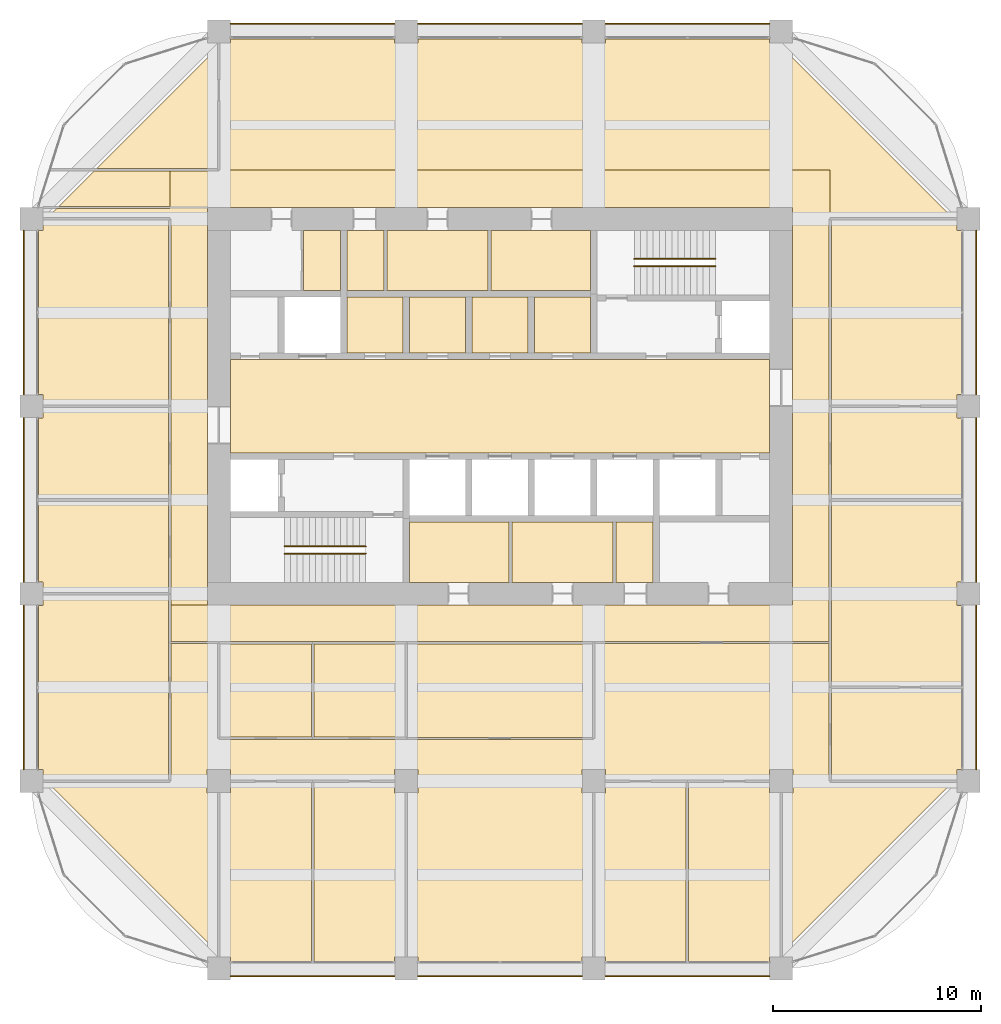
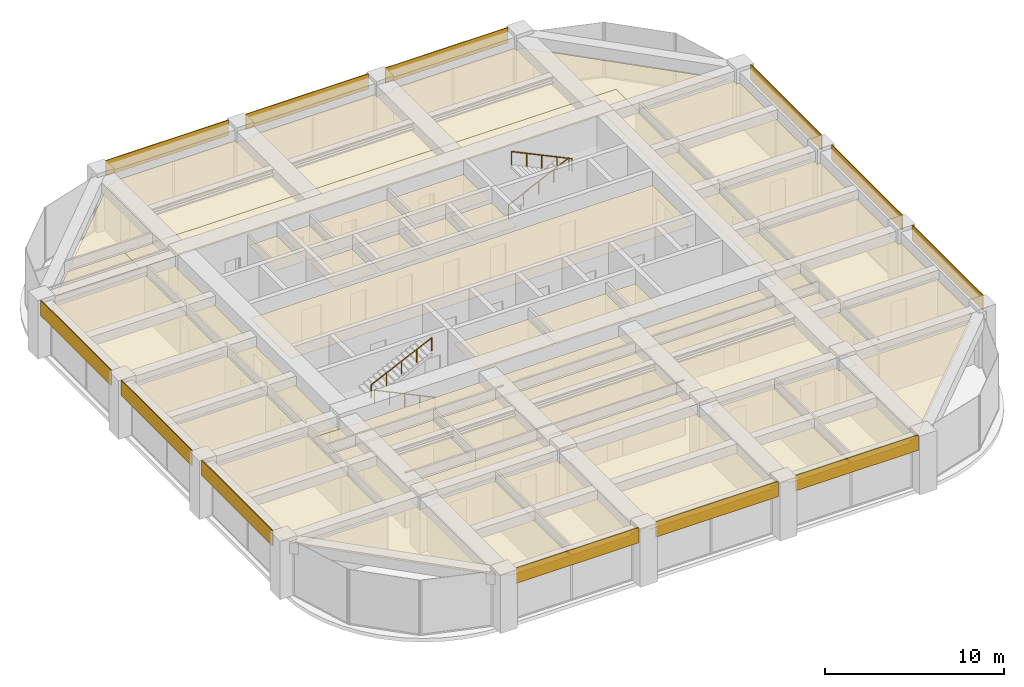
# One storey, part 45 of 45: 45 coverings, 4 railings.
"""IFC4 building model written with IfcOpenShell, lengths in metres."""

from ifc_helpers import new_model, si_unit, direction, frame, frame_2d, origin, origin_2d, place, context, subcontext, project, spatial, polyline, rectangle, circle, outline, extrude, material, layer, layer_set, type_object, element, save


model = new_model("IFC4")

# Units and contexts
model_context = context("Model", 3, precision=1e-05, world=origin(), true_north=direction((0.0, 1.0)))
body_context = subcontext(model_context, "Body", "Model", "MODEL_VIEW")
ifc_project = project(units=[si_unit("LENGTHUNIT", "METRE"), si_unit("AREAUNIT", "SQUARE_METRE"), si_unit("VOLUMEUNIT", "CUBIC_METRE"), si_unit("PLANEANGLEUNIT", "RADIAN"), si_unit("MASSUNIT", "GRAM", prefix="KILO")], contexts=[model_context])

# Site, building, storey
site_placement = place(None, origin())
site = spatial("IfcSite", under=ifc_project, at=site_placement, CompositionType="ELEMENT")
building_placement = place(site_placement, origin())
building = spatial("IfcBuilding", under=site, at=building_placement, Name="Zorevar Civic Tower", CompositionType="ELEMENT")
storey_placement = place(building_placement, frame((0.0, 0.0, 303.39990234375)))
storey = spatial("IfcBuildingStorey", under=building, at=storey_placement, Name="L74", CompositionType="ELEMENT", Elevation=303.39990234375)

# Railings
ifc_material_1 = material(Name="Black steel handrail", Category="steel")
railing_type = type_object("IfcRailingType", Name="Handrail HR1 900", PredefinedType="HANDRAIL", material=ifc_material_1)
railing_1_placement = place(storey_placement, frame((25.050048828125, 19.925048828125, 0.14306640625)))
element("IfcRailing", 1, at=railing_1_placement, inside=storey, type_object=railing_type, Name="Handrail HR1 ST1 L74", PredefinedType="HANDRAIL", context=body_context, shape_type="SweptSolid", body=[
    extrude(circle(Radius=0.02392578125, at=origin_2d()), frame((0.0, 0.0, 0.8759765625), z_axis=(-0.902885590262, 0.0, 0.429880926418), x_axis=(0.0, -1.0, 0.0)), (0.0, 0.0, 1.0), 4.319580078125),
    extrude(circle(Radius=0.02099609375, at=origin_2d()), origin(), (0.0, 0.0, 1.0), 0.851806640625),
    extrude(circle(Radius=0.02099609375, at=origin_2d()), frame((-0.97509765625, 0.0, 0.46435546875)), (0.0, 0.0, 1.0), 0.851806640625),
    extrude(circle(Radius=0.02099609375, at=origin_2d()), frame((-1.9501953125, 0.0, 0.928466796875)), (0.0, 0.0, 1.0), 0.851806640625),
    extrude(circle(Radius=0.02099609375, at=origin_2d()), frame((-2.925048828125, 0.0, 1.392578125)), (0.0, 0.0, 1.0), 0.851806640625),
    extrude(circle(Radius=0.02099609375, at=origin_2d()), frame((-3.900146484375, 0.0, 1.85693359375)), (0.0, 0.0, 1.0), 0.851806640625),
])
for number, where, name in (
    (2, (21.14990234375, 20.27490234375, 2.14306640625), "Handrail HR1 ST1 L74"),
    (3, (37.949951171875, 34.074951171875, 0.14306640625), "Handrail HR1 ST2 L74"),
):
    element("IfcRailing", number, at=place(storey_placement, frame(where)), inside=storey, type_object=railing_type, Name=name, PredefinedType="HANDRAIL", context=body_context, shape_type="SweptSolid", body=[
        extrude(circle(Radius=0.02392578125, at=origin_2d()), frame((0.0, 0.0, 0.8759765625), z_axis=(0.902885590262, 0.0, 0.429880926418), x_axis=(0.0, 1.0, 0.0)), (0.0, 0.0, 1.0), 4.319580078125),
        extrude(circle(Radius=0.02099609375, at=origin_2d()), origin(), (0.0, 0.0, 1.0), 0.851806640625),
        extrude(circle(Radius=0.02099609375, at=origin_2d()), frame((0.97509765625, 0.0, 0.46435546875)), (0.0, 0.0, 1.0), 0.851806640625),
        extrude(circle(Radius=0.02099609375, at=origin_2d()), frame((1.9501953125, 0.0, 0.928466796875)), (0.0, 0.0, 1.0), 0.851806640625),
        extrude(circle(Radius=0.02099609375, at=origin_2d()), frame((2.925048828125, 0.0, 1.392578125)), (0.0, 0.0, 1.0), 0.851806640625),
        extrude(circle(Radius=0.02099609375, at=origin_2d()), frame((3.900146484375, 0.0, 1.85693359375)), (0.0, 0.0, 1.0), 0.851806640625),
    ])
railing_2_placement = place(storey_placement, frame((41.85009765625, 33.72509765625, 2.14306640625)))
element("IfcRailing", 4, at=railing_2_placement, inside=storey, type_object=railing_type, Name="Handrail HR1 ST2 L74", PredefinedType="HANDRAIL", context=body_context, shape_type="SweptSolid", body=[
    extrude(circle(Radius=0.02392578125, at=origin_2d()), frame((0.0, 0.0, 0.8759765625), z_axis=(-0.902885590262, 0.0, 0.429880926418), x_axis=(0.0, -1.0, 0.0)), (0.0, 0.0, 1.0), 4.319580078125),
    extrude(circle(Radius=0.02099609375, at=origin_2d()), origin(), (0.0, 0.0, 1.0), 0.851806640625),
    extrude(circle(Radius=0.02099609375, at=origin_2d()), frame((-0.97509765625, 0.0, 0.46435546875)), (0.0, 0.0, 1.0), 0.851806640625),
    extrude(circle(Radius=0.02099609375, at=origin_2d()), frame((-1.9501953125, 0.0, 0.928466796875)), (0.0, 0.0, 1.0), 0.851806640625),
    extrude(circle(Radius=0.02099609375, at=origin_2d()), frame((-2.925048828125, 0.0, 1.392578125)), (0.0, 0.0, 1.0), 0.851806640625),
    extrude(circle(Radius=0.02099609375, at=origin_2d()), frame((-3.900146484375, 0.0, 1.85693359375)), (0.0, 0.0, 1.0), 0.851806640625),
])

# Coverings
ifc_material_2 = material(Name="Moisture-resistant gypsum board")
ifc_layer_1 = layer(ifc_material_2, 0.012451171875)
ifc_layer_set_1 = layer_set([ifc_layer_1], Name="Moisture-resistant ceiling SC3")
covering_type_1 = type_object("IfcCoveringType", Name="Moisture-resistant ceiling SC3", PredefinedType="CEILING", material=ifc_layer_set_1)
covering_1_placement = place(storey_placement, frame((0.0, 0.0, 3.0)))
element("IfcCovering", 5, at=covering_1_placement, inside=storey, type_object=covering_type_1, Name="Ceiling L74-05", PredefinedType="CEILING", context=body_context, shape_type="SweptSolid", body=[
    extrude(outline(polyline([(31.925048828125, 18.550048828125), (31.925048828125, 21.449951171875), (27.14990234375, 21.449951171875), (27.14990234375, 18.550048828125), (31.925048828125, 18.550048828125)])), origin(), (0.0, 0.0, 1.0), 0.0126953125),
])
covering_2_placement = place(storey_placement, frame((0.0, 0.0, 3.0)))
element("IfcCovering", 6, at=covering_2_placement, inside=storey, type_object=covering_type_1, Name="Ceiling L74-06", PredefinedType="CEILING", context=body_context, shape_type="SweptSolid", body=[
    extrude(outline(polyline([(36.925048828125, 18.550048828125), (36.925048828125, 21.449951171875), (32.074951171875, 21.449951171875), (32.074951171875, 18.550048828125), (36.925048828125, 18.550048828125)])), origin(), (0.0, 0.0, 1.0), 0.0126953125),
])
covering_3_placement = place(storey_placement, frame((0.0, 0.0, 3.0)))
element("IfcCovering", 7, at=covering_3_placement, inside=storey, type_object=covering_type_1, Name="Ceiling L74-07", PredefinedType="CEILING", context=body_context, shape_type="SweptSolid", body=[
    extrude(outline(polyline([(38.85009765625, 18.550048828125), (38.85009765625, 21.449951171875), (37.074951171875, 21.449951171875), (37.074951171875, 18.550048828125), (38.85009765625, 18.550048828125)])), origin(), (0.0, 0.0, 1.0), 0.0126953125),
])
covering_4_placement = place(storey_placement, frame((0.0, 0.0, 3.0)))
element("IfcCovering", 8, at=covering_4_placement, inside=storey, type_object=covering_type_1, Name="Ceiling L74-08", PredefinedType="CEILING", context=body_context, shape_type="SweptSolid", body=[
    extrude(outline(polyline([(35.85009765625, 32.550048828125), (35.85009765625, 35.449951171875), (31.074951171875, 35.449951171875), (31.074951171875, 32.550048828125), (35.85009765625, 32.550048828125)])), origin(), (0.0, 0.0, 1.0), 0.0126953125),
])
covering_5_placement = place(storey_placement, frame((0.0, 0.0, 3.0)))
element("IfcCovering", 9, at=covering_5_placement, inside=storey, type_object=covering_type_1, Name="Ceiling L74-09", PredefinedType="CEILING", context=body_context, shape_type="SweptSolid", body=[
    extrude(outline(polyline([(30.925048828125, 32.550048828125), (30.925048828125, 35.449951171875), (26.074951171875, 35.449951171875), (26.074951171875, 32.550048828125), (30.925048828125, 32.550048828125)])), origin(), (0.0, 0.0, 1.0), 0.0126953125),
])
covering_6_placement = place(storey_placement, frame((0.0, 0.0, 3.0)))
element("IfcCovering", 10, at=covering_6_placement, inside=storey, type_object=covering_type_1, Name="Ceiling L74-10", PredefinedType="CEILING", context=body_context, shape_type="SweptSolid", body=[
    extrude(outline(polyline([(25.925048828125, 32.550048828125), (25.925048828125, 35.449951171875), (24.14990234375, 35.449951171875), (24.14990234375, 32.550048828125), (25.925048828125, 32.550048828125)])), origin(), (0.0, 0.0, 1.0), 0.0126953125),
])
ifc_material_3 = material(Name="Black anodised aluminium spandrel panel", Category="aluminium")
ifc_layer_2 = layer(ifc_material_3, 0.050048828125)
ifc_layer_set_2 = layer_set([ifc_layer_2], Name="Spandrel cladding SP1")
covering_type_2 = type_object("IfcCoveringType", Name="Spandrel cladding SP1", PredefinedType="CLADDING", material=ifc_layer_set_2)
for number, where, z_axis, x_axis, name in (
    (11, (18.550048828125, -0.375, 2.9501953125), (0.0, 0.0, 1.0), (1.0, 0.0, 0.0), "Spandrel cladding L75"),
    (12, (27.550048828125, -0.375, 2.9501953125), (0.0, 0.0, 1.0), (1.0, 0.0, 0.0), "Spandrel cladding L75"),
    (13, (36.550048828125, -0.375, 2.9501953125), (0.0, 0.0, 1.0), (1.0, 0.0, 0.0), "Spandrel cladding L75"),
    (14, (18.550048828125, 45.375, 2.9501953125), (0.0, 0.0, 1.0), (1.0, 0.0, 0.0), "Spandrel cladding L75"),
    (15, (27.550048828125, 45.375, 2.9501953125), (0.0, 0.0, 1.0), (1.0, 0.0, 0.0), "Spandrel cladding L75"),
    (16, (36.550048828125, 45.375, 2.9501953125), (0.0, 0.0, 1.0), (1.0, 0.0, 0.0), "Spandrel cladding L75"),
    (17, (8.625, 9.550048828125, 2.9501953125), (0.0, 0.0, 1.0), (0.0, 1.0, 0.0), "Spandrel cladding L75"),
    (18, (8.625, 18.550048828125, 2.9501953125), (0.0, 0.0, 1.0), (0.0, 1.0, 0.0), "Spandrel cladding L75"),
    (19, (8.625, 27.550048828125, 2.9501953125), (0.0, 0.0, 1.0), (0.0, 1.0, 0.0), "Spandrel cladding L75"),
    (20, (54.375, 9.550048828125, 2.9501953125), (0.0, 0.0, 1.0), (0.0, 1.0, 0.0), "Spandrel cladding L75"),
    (21, (54.375, 18.550048828125, 2.9501953125), (0.0, 0.0, 1.0), (0.0, 1.0, 0.0), "Spandrel cladding L75"),
    (22, (54.375, 27.550048828125, 2.9501953125), (0.0, 0.0, 1.0), (0.0, 1.0, 0.0), "Spandrel cladding L75"),
):
    element("IfcCovering", number, at=place(storey_placement, frame(where, z_axis=z_axis, x_axis=x_axis)), inside=storey, type_object=covering_type_2, Name=name, PredefinedType="CLADDING", context=body_context, shape_type="SweptSolid", body=[
        extrude(rectangle(XDim=7.89990234375, YDim=0.050048828125, at=frame_2d((3.949951171875, 0.0))), origin(), (0.0, 0.0, 1.0), 1.0498046875),
    ])
ifc_material_4 = material(Name="Mineral fibre tiles on a concealed grid")
ifc_layer_3 = layer(ifc_material_4, 0.02001953125)
ifc_layer_set_3 = layer_set([ifc_layer_3], Name="Suspended ceiling SC1")
covering_type_3 = type_object("IfcCoveringType", Name="Suspended ceiling SC1", PredefinedType="CEILING", material=ifc_layer_set_3)
covering_7_placement = place(storey_placement, frame((0.0, 0.0, 3.0)))
element("IfcCovering", 23, at=covering_7_placement, inside=storey, type_object=covering_type_3, Name="Ceiling L74-12", PredefinedType="CEILING", context=body_context, shape_type="SweptSolid", body=[
    extrude(outline(polyline([(23.85009765625, 32.550048828125), (23.85009765625, 35.449951171875), (22.06005859375, 35.449951171875), (22.06005859375, 32.550048828125), (23.85009765625, 32.550048828125)])), origin(), (0.0, 0.0, 1.0), 0.02001953125),
])
covering_8_placement = place(storey_placement, frame((0.0, 0.0, 3.0)))
element("IfcCovering", 24, at=covering_8_placement, inside=storey, type_object=covering_type_3, Name="Ceiling L74-16", PredefinedType="CEILING", context=body_context, shape_type="SweptSolid", body=[
    extrude(outline(polyline([(44.449951171875, 24.75), (44.449951171875, 29.25), (18.550048828125, 29.25), (18.550048828125, 24.75), (44.449951171875, 24.75)])), origin(), (0.0, 0.0, 1.0), 0.02001953125),
])
covering_9_placement = place(storey_placement, frame((0.0, 0.0, 3.0)))
element("IfcCovering", 25, at=covering_9_placement, inside=storey, type_object=covering_type_3, Name="Ceiling L74-17", PredefinedType="CEILING", context=body_context, shape_type="SweptSolid", body=[
    extrude(outline(polyline([(35.85009765625, 29.550048828125), (35.85009765625, 32.25), (33.14990234375, 32.25), (33.14990234375, 29.550048828125), (35.85009765625, 29.550048828125)])), origin(), (0.0, 0.0, 1.0), 0.02001953125),
])
covering_10_placement = place(storey_placement, frame((0.0, 0.0, 3.0)))
element("IfcCovering", 26, at=covering_10_placement, inside=storey, type_object=covering_type_3, Name="Ceiling L74-18", PredefinedType="CEILING", context=body_context, shape_type="SweptSolid", body=[
    extrude(outline(polyline([(32.85009765625, 29.550048828125), (32.85009765625, 32.25), (30.14990234375, 32.25), (30.14990234375, 29.550048828125), (32.85009765625, 29.550048828125)])), origin(), (0.0, 0.0, 1.0), 0.02001953125),
])
covering_11_placement = place(storey_placement, frame((0.0, 0.0, 3.0)))
element("IfcCovering", 27, at=covering_11_placement, inside=storey, type_object=covering_type_3, Name="Ceiling L74-19", PredefinedType="CEILING", context=body_context, shape_type="SweptSolid", body=[
    extrude(outline(polyline([(29.85009765625, 29.550048828125), (29.85009765625, 32.25), (27.14990234375, 32.25), (27.14990234375, 29.550048828125), (29.85009765625, 29.550048828125)])), origin(), (0.0, 0.0, 1.0), 0.02001953125),
])
covering_12_placement = place(storey_placement, frame((0.0, 0.0, 3.0)))
element("IfcCovering", 28, at=covering_12_placement, inside=storey, type_object=covering_type_3, Name="Ceiling L74-20", PredefinedType="CEILING", context=body_context, shape_type="SweptSolid", body=[
    extrude(outline(polyline([(26.85009765625, 29.550048828125), (26.85009765625, 32.25), (24.14990234375, 32.25), (24.14990234375, 29.550048828125), (26.85009765625, 29.550048828125)])), origin(), (0.0, 0.0, 1.0), 0.02001953125),
])
covering_13_placement = place(storey_placement, frame((0.0, 0.0, 3.0)))
element("IfcCovering", 29, at=covering_13_placement, inside=storey, type_object=covering_type_3, Name="Ceiling L74-21", PredefinedType="CEILING", context=body_context, shape_type="SweptSolid", body=[
    extrude(outline(polyline([(53.64990234375, 13.43994140625), (53.64990234375, 9.56005859375), (53.43994140625, 9.56005859375), (53.43994140625, 9.147216796875), (53.352783203125, 9.06005859375), (47.409912109375, 9.06005859375), (47.409912109375, 13.43994140625), (53.64990234375, 13.43994140625)])), origin(), (0.0, 0.0, 1.0), 0.02001953125),
])
covering_14_placement = place(storey_placement, frame((0.0, 0.0, 3.0)))
element("IfcCovering", 30, at=covering_14_placement, inside=storey, type_object=covering_type_3, Name="Ceiling L74-22", PredefinedType="CEILING", context=body_context, shape_type="SweptSolid", body=[
    extrude(outline(polyline([(47.409912109375, 22.43994140625), (53.64990234375, 22.43994140625), (53.64990234375, 18.56005859375), (53.43994140625, 18.56005859375), (53.43994140625, 17.43994140625), (53.64990234375, 17.43994140625), (53.64990234375, 13.56005859375), (47.409912109375, 13.56005859375), (47.409912109375, 22.43994140625)])), origin(), (0.0, 0.0, 1.0), 0.02001953125),
])
covering_15_placement = place(storey_placement, frame((0.0, 0.0, 3.0)))
element("IfcCovering", 31, at=covering_15_placement, inside=storey, type_object=covering_type_3, Name="Ceiling L74-23", PredefinedType="CEILING", context=body_context, shape_type="SweptSolid", body=[
    extrude(outline(polyline([(47.409912109375, 26.93994140625), (53.43994140625, 26.93994140625), (53.43994140625, 26.43994140625), (53.64990234375, 26.43994140625), (53.64990234375, 22.56005859375), (47.409912109375, 22.56005859375), (47.409912109375, 26.93994140625)])), origin(), (0.0, 0.0, 1.0), 0.02001953125),
])
covering_16_placement = place(storey_placement, frame((0.0, 0.0, 3.0)))
element("IfcCovering", 32, at=covering_16_placement, inside=storey, type_object=covering_type_3, Name="Ceiling L74-24", PredefinedType="CEILING", context=body_context, shape_type="SweptSolid", body=[
    extrude(outline(polyline([(53.43994140625, 27.56005859375), (53.43994140625, 27.06005859375), (47.409912109375, 27.06005859375), (47.409912109375, 35.93994140625), (53.352783203125, 35.93994140625), (53.43994140625, 35.852783203125), (53.43994140625, 35.43994140625), (53.64990234375, 35.43994140625), (53.64990234375, 27.56005859375), (53.43994140625, 27.56005859375)])), origin(), (0.0, 0.0, 1.0), 0.02001953125),
])
covering_17_placement = place(storey_placement, frame((0.0, 0.0, 3.0)))
element("IfcCovering", 33, at=covering_17_placement, inside=storey, type_object=covering_type_3, Name="Ceiling L74-25", PredefinedType="CEILING", context=body_context, shape_type="SweptSolid", body=[
    extrude(outline(polyline([(18.56005859375, 0.56005859375), (18.147216796875, 0.56005859375), (18.06005859375, 0.647216796875), (18.06005859375, 8.43994140625), (18.56005859375, 8.43994140625), (18.56005859375, 8.93994140625), (22.43994140625, 8.93994140625), (22.43994140625, 0.35009765625), (18.56005859375, 0.35009765625), (18.56005859375, 0.56005859375)])), origin(), (0.0, 0.0, 1.0), 0.02001953125),
])
covering_18_placement = place(storey_placement, frame((0.0, 0.0, 3.0)))
element("IfcCovering", 34, at=covering_18_placement, inside=storey, type_object=covering_type_3, Name="Ceiling L74-26", PredefinedType="CEILING", context=body_context, shape_type="SweptSolid", body=[
    extrude(outline(polyline([(26.93994140625, 0.56005859375), (26.43994140625, 0.56005859375), (26.43994140625, 0.35009765625), (22.56005859375, 0.35009765625), (22.56005859375, 8.93994140625), (26.43994140625, 8.93994140625), (26.43994140625, 8.43994140625), (26.93994140625, 8.43994140625), (26.93994140625, 0.56005859375)])), origin(), (0.0, 0.0, 1.0), 0.02001953125),
])
covering_19_placement = place(storey_placement, frame((0.0, 0.0, 3.0)))
element("IfcCovering", 35, at=covering_19_placement, inside=storey, type_object=covering_type_3, Name="Ceiling L74-27", PredefinedType="CEILING", context=body_context, shape_type="SweptSolid", body=[
    extrude(outline(polyline([(36.56005859375, 0.35009765625), (36.56005859375, 0.56005859375), (36.06005859375, 0.56005859375), (36.06005859375, 8.43994140625), (36.56005859375, 8.43994140625), (36.56005859375, 8.93994140625), (40.43994140625, 8.93994140625), (40.43994140625, 0.35009765625), (36.56005859375, 0.35009765625)])), origin(), (0.0, 0.0, 1.0), 0.02001953125),
])
covering_20_placement = place(storey_placement, frame((0.0, 0.0, 3.0)))
element("IfcCovering", 36, at=covering_20_placement, inside=storey, type_object=covering_type_3, Name="Ceiling L74-28", PredefinedType="CEILING", context=body_context, shape_type="SweptSolid", body=[
    extrude(outline(polyline([(44.43994140625, 0.56005859375), (44.43994140625, 0.35009765625), (40.56005859375, 0.35009765625), (40.56005859375, 8.93994140625), (44.43994140625, 8.93994140625), (44.43994140625, 8.43994140625), (44.93994140625, 8.43994140625), (44.93994140625, 0.647216796875), (44.852783203125, 0.56005859375), (44.43994140625, 0.56005859375)])), origin(), (0.0, 0.0, 1.0), 0.02001953125),
])
covering_21_placement = place(storey_placement, frame((0.0, 0.0, 3.0)))
element("IfcCovering", 37, at=covering_21_placement, inside=storey, type_object=covering_type_3, Name="Ceiling L74-29", PredefinedType="CEILING", context=body_context, shape_type="SweptSolid", body=[
    extrude(outline(polyline([(9.35009765625, 9.56005859375), (9.35009765625, 17.43994140625), (9.56005859375, 17.43994140625), (9.56005859375, 17.93994140625), (15.590087890625, 17.93994140625), (15.590087890625, 9.06005859375), (9.647216796875, 9.06005859375), (9.56005859375, 9.147216796875), (9.56005859375, 9.56005859375), (9.35009765625, 9.56005859375)])), origin(), (0.0, 0.0, 1.0), 0.02001953125),
])
covering_22_placement = place(storey_placement, frame((0.0, 0.0, 3.0)))
element("IfcCovering", 38, at=covering_22_placement, inside=storey, type_object=covering_type_3, Name="Ceiling L74-30", PredefinedType="CEILING", context=body_context, shape_type="SweptSolid", body=[
    extrude(outline(polyline([(15.590087890625, 18.06005859375), (9.56005859375, 18.06005859375), (9.56005859375, 18.56005859375), (9.35009765625, 18.56005859375), (9.35009765625, 22.43994140625), (15.590087890625, 22.43994140625), (15.590087890625, 18.06005859375)])), origin(), (0.0, 0.0, 1.0), 0.02001953125),
])
covering_23_placement = place(storey_placement, frame((0.0, 0.0, 3.0)))
element("IfcCovering", 39, at=covering_23_placement, inside=storey, type_object=covering_type_3, Name="Ceiling L74-31", PredefinedType="CEILING", context=body_context, shape_type="SweptSolid", body=[
    extrude(outline(polyline([(15.590087890625, 22.56005859375), (9.35009765625, 22.56005859375), (9.35009765625, 26.43994140625), (9.56005859375, 26.43994140625), (9.56005859375, 26.93994140625), (15.590087890625, 26.93994140625), (15.590087890625, 22.56005859375)])), origin(), (0.0, 0.0, 1.0), 0.02001953125),
])
covering_24_placement = place(storey_placement, frame((0.0, 0.0, 3.0)))
element("IfcCovering", 40, at=covering_24_placement, inside=storey, type_object=covering_type_3, Name="Ceiling L74-32", PredefinedType="CEILING", context=body_context, shape_type="SweptSolid", body=[
    extrude(outline(polyline([(9.35009765625, 27.56005859375), (9.35009765625, 35.43994140625), (9.56005859375, 35.43994140625), (9.56005859375, 35.852783203125), (9.647216796875, 35.93994140625), (15.590087890625, 35.93994140625), (15.590087890625, 27.06005859375), (9.56005859375, 27.06005859375), (9.56005859375, 27.56005859375), (9.35009765625, 27.56005859375)])), origin(), (0.0, 0.0, 1.0), 0.02001953125),
])
covering_25_placement = place(storey_placement, frame((0.0, 0.0, 3.0)))
element("IfcCovering", 41, at=covering_25_placement, inside=storey, type_object=covering_type_3, Name="Ceiling L74-33", PredefinedType="CEILING", context=body_context, shape_type="SweptSolid", body=[
    extrude(outline(polyline([(35.93994140625, 11.10009765625), (27.06005859375, 11.10009765625), (27.06005859375, 15.590087890625), (35.93994140625, 15.590087890625), (35.93994140625, 11.10009765625)])), origin(), (0.0, 0.0, 1.0), 0.02001953125),
])
covering_26_placement = place(storey_placement, frame((0.0, 0.0, 3.0)))
element("IfcCovering", 42, at=covering_26_placement, inside=storey, type_object=covering_type_3, Name="Ceiling L74-34", PredefinedType="CEILING", context=body_context, shape_type="SweptSolid", body=[
    extrude(outline(polyline([(18.06005859375, 15.590087890625), (22.43994140625, 15.590087890625), (22.43994140625, 11.110107421875), (18.06005859375, 11.110107421875), (18.06005859375, 15.590087890625)])), origin(), (0.0, 0.0, 1.0), 0.02001953125),
])
covering_27_placement = place(storey_placement, frame((0.0, 0.0, 3.0)))
element("IfcCovering", 43, at=covering_27_placement, inside=storey, type_object=covering_type_3, Name="Ceiling L74-35", PredefinedType="CEILING", context=body_context, shape_type="SweptSolid", body=[
    extrude(outline(polyline([(22.56005859375, 11.110107421875), (22.56005859375, 15.590087890625), (26.93994140625, 15.590087890625), (26.93994140625, 11.110107421875), (22.56005859375, 11.110107421875)])), origin(), (0.0, 0.0, 1.0), 0.02001953125),
])
covering_28_placement = place(storey_placement, frame((0.0, 0.0, 3.0)))
element("IfcCovering", 44, at=covering_28_placement, inside=storey, type_object=covering_type_3, Name="Ceiling L74-36", PredefinedType="CEILING", context=body_context, shape_type="SweptSolid", body=[
    extrude(outline(polyline([(17.93994140625, 38.409912109375), (12.1171875, 38.409912109375), (17.93994140625, 44.23291015625), (17.93994140625, 38.409912109375)])), origin(), (0.0, 0.0, 1.0), 0.02001953125),
])
covering_29_placement = place(storey_placement, frame((0.0, 0.0, 3.0)))
element("IfcCovering", 45, at=covering_29_placement, inside=storey, type_object=covering_type_3, Name="Ceiling L74-37", PredefinedType="CEILING", context=body_context, shape_type="SweptSolid", body=[
    extrude(outline(polyline([(15.64990234375, 36.550048828125), (15.64990234375, 38.2900390625), (18.0, 38.2900390625), (18.0, 38.35009765625), (47.35009765625, 38.35009765625), (47.35009765625, 36.0), (47.2900390625, 36.0), (47.2900390625, 15.699951171875), (36.010009765625, 15.699951171875), (36.010009765625, 15.64990234375), (36.0, 15.64990234375), (36.0, 15.7099609375), (18.0, 15.7099609375), (18.0, 15.64990234375), (17.989990234375, 15.64990234375), (17.989990234375, 15.699951171875), (15.7099609375, 15.699951171875), (15.7099609375, 17.449951171875), (45.550048828125, 17.449951171875), (45.550048828125, 36.550048828125), (15.64990234375, 36.550048828125)])), origin(), (0.0, 0.0, 1.0), 0.02001953125),
])
covering_30_placement = place(storey_placement, frame((0.0, 0.0, 3.0)))
element("IfcCovering", 46, at=covering_30_placement, inside=storey, type_object=covering_type_3, Name="Ceiling L74-38", PredefinedType="CEILING", context=body_context, shape_type="SweptSolid", body=[
    extrude(outline(polyline([(47.35009765625, 36.0), (47.35009765625, 38.35107421875), (18.06103515625, 38.35107421875), (18.06103515625, 44.35400390625), (18.147216796875, 44.43994140625), (18.56005859375, 44.43994140625), (18.56005859375, 44.64892578125), (26.43994140625, 44.64892578125), (26.43994140625, 44.43994140625), (27.56005859375, 44.43994140625), (27.56005859375, 44.64892578125), (35.43994140625, 44.64892578125), (35.43994140625, 44.43994140625), (36.56005859375, 44.43994140625), (36.56005859375, 44.64892578125), (44.43994140625, 44.64892578125), (44.43994140625, 44.43994140625), (44.852783203125, 44.43994140625), (53.23291015625, 36.06005859375), (47.35107421875, 36.06005859375), (47.35009765625, 36.0)])), origin(), (0.0, 0.0, 1.0), 0.02001953125),
])
covering_31_placement = place(storey_placement, frame((0.0, 0.0, 3.0)))
element("IfcCovering", 47, at=covering_31_placement, inside=storey, type_object=covering_type_3, Name="Ceiling L74-39", PredefinedType="CEILING", context=body_context, shape_type="SweptSolid", body=[
    extrude(outline(polyline([(15.64990234375, 38.2900390625), (15.64990234375, 36.60009765625), (10.30712890625, 36.60009765625), (11.9970703125, 38.2900390625), (15.64990234375, 38.2900390625)])), origin(), (0.0, 0.0, 1.0), 0.02001953125),
])
covering_32_placement = place(storey_placement, frame((0.0, 0.0, 3.0)))
element("IfcCovering", 48, at=covering_32_placement, inside=storey, type_object=covering_type_3, Name="Ceiling L74-40", PredefinedType="CEILING", context=body_context, shape_type="SweptSolid", body=[
    extrude(outline(polyline([(15.64990234375, 8.93994140625), (15.64990234375, 9.0), (15.7099609375, 9.0), (15.7099609375, 15.60009765625), (17.93994140625, 15.60009765625), (17.93994140625, 11.050048828125), (18.0, 11.050048828125), (18.0, 10.989990234375), (27.0, 10.989990234375), (27.0, 11.0), (36.0, 11.0), (36.0, 11.050048828125), (36.06005859375, 11.050048828125), (36.06005859375, 15.60009765625), (47.2900390625, 15.60009765625), (47.2900390625, 9.0), (47.35009765625, 9.0), (47.35009765625, 8.93994140625), (53.23291015625, 8.93994140625), (45.06005859375, 0.76708984375), (45.06005859375, 8.43994140625), (45.56005859375, 8.43994140625), (45.56005859375, 9.56005859375), (44.43994140625, 9.56005859375), (44.43994140625, 9.06005859375), (36.56005859375, 9.06005859375), (36.56005859375, 9.56005859375), (35.43994140625, 9.56005859375), (35.43994140625, 8.43994140625), (35.93994140625, 8.43994140625), (35.93994140625, 0.56005859375), (35.43994140625, 0.56005859375), (35.43994140625, 0.35009765625), (27.56005859375, 0.35009765625), (27.56005859375, 0.56005859375), (27.06005859375, 0.56005859375), (27.06005859375, 8.43994140625), (27.56005859375, 8.43994140625), (27.56005859375, 9.56005859375), (26.43994140625, 9.56005859375), (26.43994140625, 9.06005859375), (18.56005859375, 9.06005859375), (18.56005859375, 9.56005859375), (17.43994140625, 9.56005859375), (17.43994140625, 8.43994140625), (17.93994140625, 8.43994140625), (17.93994140625, 0.76708984375), (9.76708984375, 8.93994140625), (15.64990234375, 8.93994140625)])), origin(), (0.0, 0.0, 1.0), 0.02001953125),
])
covering_33_placement = place(storey_placement, frame((0.0, 0.0, 3.0)))
element("IfcCovering", 49, at=covering_33_placement, inside=storey, type_object=covering_type_3, Name="Ceiling L74-41", PredefinedType="CEILING", context=body_context, shape_type="SweptSolid", body=[
    extrude(outline(polyline([(17.449951171875, 17.449951171875), (15.7099609375, 17.449951171875), (15.7099609375, 36.0), (15.64990234375, 36.0), (15.64990234375, 36.06005859375), (9.76708984375, 36.06005859375), (10.20703125, 36.5), (15.64990234375, 36.5), (15.64990234375, 36.550048828125), (17.449951171875, 36.550048828125), (17.449951171875, 17.449951171875)])), origin(), (0.0, 0.0, 1.0), 0.02001953125),
])

save(model, "model.ifc")
